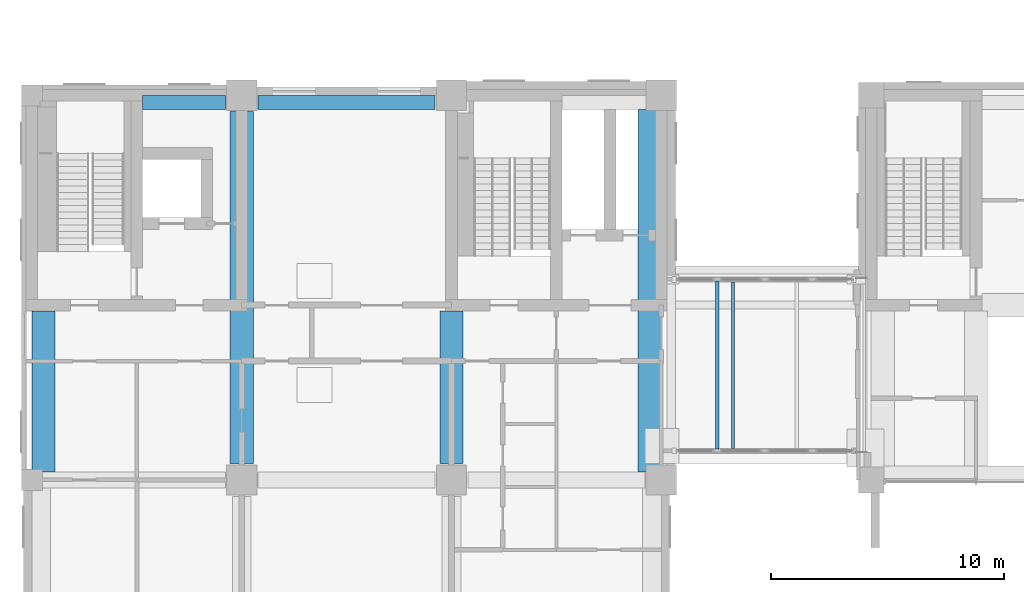
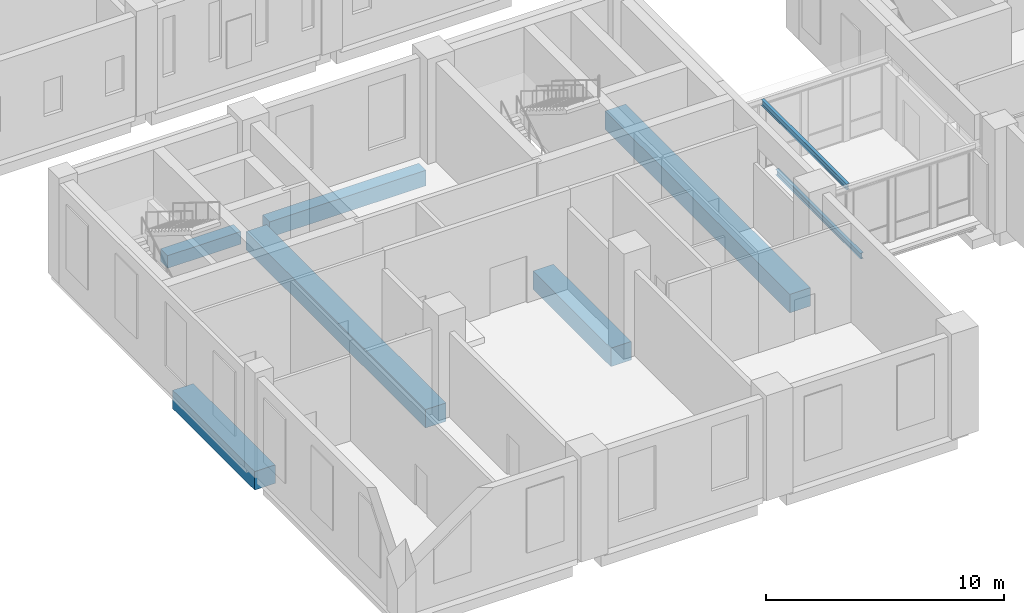
# One storey, part 3 of 52: 8 beams.
"""IFC4 building model written with IfcOpenShell, lengths in metres."""

from ifc_helpers import new_model, si_unit, direction, frame, origin, origin_2d, place, context, subcontext, project, spatial, rectangle, i_section, extrude, material, material_profile, profile_set, type_object, element, save


model = new_model("IFC4")

# Units and contexts
model_context = context("Model", 3, precision=1e-05, world=origin(), true_north=direction((0.0, 1.0)))
body_context = subcontext(model_context, "Body", "Model", "MODEL_VIEW")
ifc_project = project(units=[si_unit("LENGTHUNIT", "METRE"), si_unit("AREAUNIT", "SQUARE_METRE"), si_unit("VOLUMEUNIT", "CUBIC_METRE"), si_unit("PLANEANGLEUNIT", "RADIAN"), si_unit("MASSUNIT", "GRAM", prefix="KILO")], contexts=[model_context])

# Site, building, storey
site_placement = place(None, origin())
site = spatial("IfcSite", under=ifc_project, at=site_placement, CompositionType="ELEMENT")
building_placement = place(site_placement, origin())
building = spatial("IfcBuilding", under=site, at=building_placement, Name="Aurelan Courthouse", CompositionType="ELEMENT")
storey_placement = place(building_placement, frame((0.0, 0.0, 6.60009765625)))
storey = spatial("IfcBuildingStorey", under=building, at=storey_placement, Name="L01", CompositionType="ELEMENT", Elevation=6.60009765625)

# Beams
ifc_material_1 = material(Name="Steel S355", Category="steel")
ifc_material_profile_1 = material_profile(ifc_material_1, i_section(OverallWidth=0.14990234375, OverallDepth=0.300048828125, WebThickness=0.007080078125, FlangeThickness=0.0107421875, FilletRadius=0.014892578125, at=origin_2d()), Name="IPE 300")
ifc_profile_set_1 = profile_set([ifc_material_profile_1], Name="Steel S355")
beam_type_1 = type_object("IfcBeamType", Name="Bridge cross beam IPE 300", PredefinedType="BEAM", material=ifc_profile_set_1)
beam_1_placement = place(storey_placement, frame((30.074951171875, 13.35498046875, -0.35009765625), z_axis=(0.0, 1.0, 0.0), x_axis=(-1.0, 0.0, 0.0)))
element("IfcBeam", 1, at=beam_1_placement, inside=storey, type_object=beam_type_1, Name="Bridge cross beam BX-1", PredefinedType="BEAM", context=body_context, shape_type="SweptSolid", body=[
    extrude(i_section(OverallWidth=0.14990234375, OverallDepth=0.300048828125, WebThickness=0.007080078125, FlangeThickness=0.0107421875, FilletRadius=0.014892578125, at=origin_2d()), origin(), (0.0, 0.0, 1.0), 7.14013671875),
])
ifc_material_2 = material(Name="Concrete C50", Category="concrete")
ifc_material_profile_2 = material_profile(ifc_material_2, rectangle(XDim=1.0, YDim=0.949951171875, at=origin_2d()), Name="RC 1000 x 950")
ifc_profile_set_2 = profile_set([ifc_material_profile_2], Name="Concrete C50")
beam_type_2 = type_object("IfcBeamType", Name="PT girder 1000 x 950", PredefinedType="BEAM", material=ifc_profile_set_2)
beam_2_placement = place(storey_placement, frame((0.5, 12.35009765625, -0.775146484375), z_axis=(0.0, 1.0, 0.0), x_axis=(-1.0, 0.0, 0.0)))
element("IfcBeam", 2, at=beam_2_placement, inside=storey, type_object=beam_type_2, Name="Girder GB-1BC-E", PredefinedType="BEAM", context=body_context, shape_type="SweptSolid", body=[
    extrude(rectangle(XDim=1.0, YDim=0.949951171875, at=origin_2d()), origin(), (0.0, 0.0, 1.0), 6.89990234375),
])
beam_3_placement = place(storey_placement, frame((9.0, 12.699951171875, -0.775146484375), z_axis=(0.0, 1.0, 0.0), x_axis=(-1.0, 0.0, 0.0)))
element("IfcBeam", 3, at=beam_3_placement, inside=storey, type_object=beam_type_2, Name="Girder GB-2BC", PredefinedType="BEAM", context=body_context, shape_type="SweptSolid", body=[
    extrude(rectangle(XDim=1.0, YDim=0.949951171875, at=origin_2d()), origin(), (0.0, 0.0, 1.0), 15.10009765625),
])
beam_4_placement = place(storey_placement, frame((18.0, 12.699951171875, -0.775146484375), z_axis=(0.0, 1.0, 0.0), x_axis=(-1.0, 0.0, 0.0)))
element("IfcBeam", 4, at=beam_4_placement, inside=storey, type_object=beam_type_2, Name="Girder GB-3BC", PredefinedType="BEAM", context=body_context, shape_type="SweptSolid", body=[
    extrude(rectangle(XDim=1.0, YDim=0.949951171875, at=origin_2d()), origin(), (0.0, 0.0, 1.0), 6.550048828125),
])
beam_5_placement = place(storey_placement, frame((26.5, 12.35009765625, -0.775146484375), z_axis=(0.0, 1.0, 0.0), x_axis=(-1.0, 0.0, 0.0)))
element("IfcBeam", 5, at=beam_5_placement, inside=storey, type_object=beam_type_2, Name="Girder GB-4BC-E", PredefinedType="BEAM", context=body_context, shape_type="SweptSolid", body=[
    extrude(rectangle(XDim=1.0, YDim=0.949951171875, at=origin_2d()), origin(), (0.0, 0.0, 1.0), 15.5498046875),
])
ifc_material_profile_3 = material_profile(ifc_material_1, i_section(OverallWidth=0.14990234375, OverallDepth=0.300048828125, WebThickness=0.007080078125, FlangeThickness=0.0107421875, FilletRadius=0.014892578125, at=origin_2d()), Name="IPE 300")
ifc_profile_set_3 = profile_set([ifc_material_profile_3], Name="Steel S355")
beam_type_3 = type_object("IfcBeamType", Name="Passage cross beam IPE 300", PredefinedType="BEAM", material=ifc_profile_set_3)
beam_6_placement = place(storey_placement, frame((29.393798828125, 13.324951171875, 3.449951171875), z_axis=(0.0, 1.0, 0.0), x_axis=(-1.0, 0.0, 0.0)))
element("IfcBeam", 6, at=beam_6_placement, inside=storey, type_object=beam_type_3, Name="Passage cross beam BR1-BX", PredefinedType="BEAM", context=body_context, shape_type="SweptSolid", body=[
    extrude(i_section(OverallWidth=0.14990234375, OverallDepth=0.300048828125, WebThickness=0.007080078125, FlangeThickness=0.0107421875, FilletRadius=0.014892578125, at=origin_2d()), origin(), (0.0, 0.0, 1.0), 7.199951171875),
])
ifc_material_profile_4 = material_profile(ifc_material_2, rectangle(XDim=0.60009765625, YDim=0.64990234375, at=origin_2d()), Name="RC 600 x 650")
ifc_profile_set_4 = profile_set([ifc_material_profile_4], Name="Concrete C50")
beam_type_4 = type_object("IfcBeamType", Name="RC spandrel beam 600 x 650", PredefinedType="SPANDREL", material=ifc_profile_set_4)
beam_7_placement = place(storey_placement, frame((4.75, 28.199951171875, -0.625), z_axis=(1.0, 0.0, 0.0), x_axis=(0.0, 1.0, 0.0)))
element("IfcBeam", 7, at=beam_7_placement, inside=storey, type_object=beam_type_4, Name="Spandrel beam SB-C-1-2", PredefinedType="SPANDREL", context=body_context, shape_type="SweptSolid", body=[
    extrude(rectangle(XDim=0.60009765625, YDim=0.64990234375, at=origin_2d()), origin(), (0.0, 0.0, 1.0), 3.550048828125),
])
ifc_material_profile_5 = material_profile(ifc_material_2, rectangle(XDim=0.60009765625, YDim=0.800048828125, at=origin_2d()), Name="RC 600 x 800")
ifc_profile_set_5 = profile_set([ifc_material_profile_5], Name="Concrete C50")
beam_type_5 = type_object("IfcBeamType", Name="RC spandrel beam 600 x 800", PredefinedType="SPANDREL", material=ifc_profile_set_5)
beam_8_placement = place(storey_placement, frame((9.699951171875, 28.199951171875, -0.7001953125), z_axis=(1.0, 0.0, 0.0), x_axis=(0.0, 1.0, 0.0)))
element("IfcBeam", 8, at=beam_8_placement, inside=storey, type_object=beam_type_5, Name="Spandrel beam SB-C-2-3", PredefinedType="SPANDREL", context=body_context, shape_type="SweptSolid", body=[
    extrude(rectangle(XDim=0.60009765625, YDim=0.800048828125, at=origin_2d()), origin(), (0.0, 0.0, 1.0), 7.60009765625),
])

save(model, "model.ifc")
